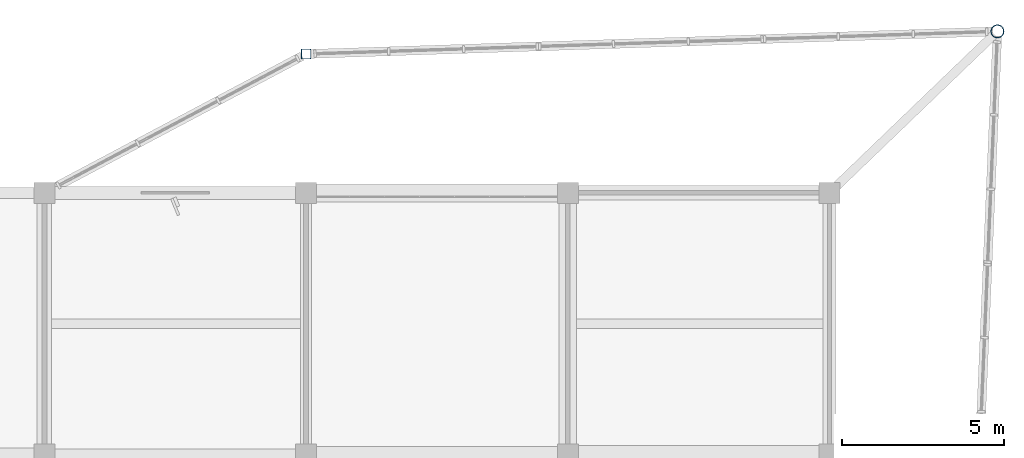
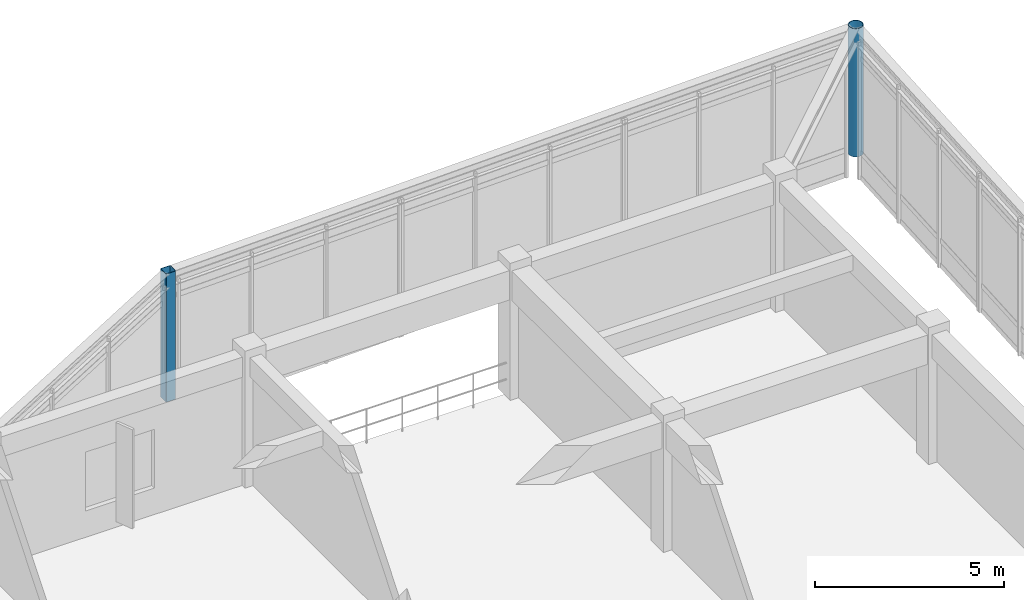
# One storey, part 7 of 42: 2 columns.
"""IFC4 building model written with IfcOpenShell, lengths in metres."""

from ifc_helpers import new_model, si_unit, direction, frame, origin, origin_2d, place, context, subcontext, project, spatial, hollow_rectangle, hollow_circle, extrude, material, material_profile, profile_set, type_object, element, save


model = new_model("IFC4")

# Units and contexts
model_context = context("Model", 3, precision=1e-05, world=origin(), true_north=direction((0.0, 1.0)))
body_context = subcontext(model_context, "Body", "Model", "MODEL_VIEW")
ifc_project = project(units=[si_unit("LENGTHUNIT", "METRE"), si_unit("AREAUNIT", "SQUARE_METRE"), si_unit("VOLUMEUNIT", "CUBIC_METRE"), si_unit("PLANEANGLEUNIT", "RADIAN"), si_unit("MASSUNIT", "GRAM", prefix="KILO")], contexts=[model_context])

# Site, building, storey
site_placement = place(None, origin())
site = spatial("IfcSite", under=ifc_project, at=site_placement, CompositionType="ELEMENT")
building_placement = place(site_placement, origin())
building = spatial("IfcBuilding", under=site, at=building_placement, Name="Vaudrelin Polytechnic", CompositionType="ELEMENT")
storey_placement = place(building_placement, frame((0.0, 0.0, 18.530029296875)))
storey = spatial("IfcBuildingStorey", under=building, at=storey_placement, Name="L04", CompositionType="ELEMENT", Elevation=18.530029296875)

# Columns
ifc_material = material(Name="Steel CSA G40.21 350WT", Category="steel")
ifc_material_profile_1 = material_profile(ifc_material, hollow_rectangle(XDim=0.304931640625, YDim=0.304931640625, WallThickness=0.0126953125, InnerFilletRadius=0.0126953125, OuterFilletRadius=0.025390625, at=origin_2d()), Name="HSS305x305x12.7")
ifc_profile_set_1 = profile_set([ifc_material_profile_1], Name="Steel CSA G40.21 350WT")
column_type_1 = type_object("IfcColumnType", Name="COL-C-HSS305", PredefinedType="COLUMN", material=ifc_profile_set_1)
column_1_placement = place(storey_placement, frame((153.89990234375, 125.800048828125, 0.0), z_axis=(0.0, 0.0, 1.0), x_axis=(1.0, 0.0, 0.0)))
element("IfcColumn", 1, at=column_1_placement, inside=storey, type_object=column_type_1, Name="Deconstructivist column L04 NE_N", PredefinedType="COLUMN", context=body_context, shape_type="SweptSolid", body=[
    extrude(hollow_rectangle(XDim=0.304931640625, YDim=0.304931640625, WallThickness=0.0126953125, InnerFilletRadius=0.0126953125, OuterFilletRadius=0.025390625, at=origin_2d()), origin(), (0.0, 0.0, 1.0), 4.139892578125),
])
ifc_material_profile_2 = material_profile(ifc_material, hollow_circle(Radius=0.203125, WallThickness=0.015869140625, at=origin_2d()), Name="CHS406.4x15.9")
ifc_profile_set_2 = profile_set([ifc_material_profile_2], Name="Steel CSA G40.21 350WT")
column_type_2 = type_object("IfcColumnType", Name="COL-C-TR406", PredefinedType="COLUMN", material=ifc_profile_set_2)
column_2_placement = place(storey_placement, frame((175.300048828125, 126.5, 0.0), z_axis=(0.0, 0.0, 1.0), x_axis=(1.0, 0.0, 0.0)))
element("IfcColumn", 2, at=column_2_placement, inside=storey, type_object=column_type_2, Name="Deconstructivist column L04 NE_APX", PredefinedType="COLUMN", context=body_context, shape_type="SweptSolid", body=[
    extrude(hollow_circle(Radius=0.203125, WallThickness=0.015869140625, at=origin_2d()), origin(), (0.0, 0.0, 1.0), 4.139892578125),
])

save(model, "model.ifc")
